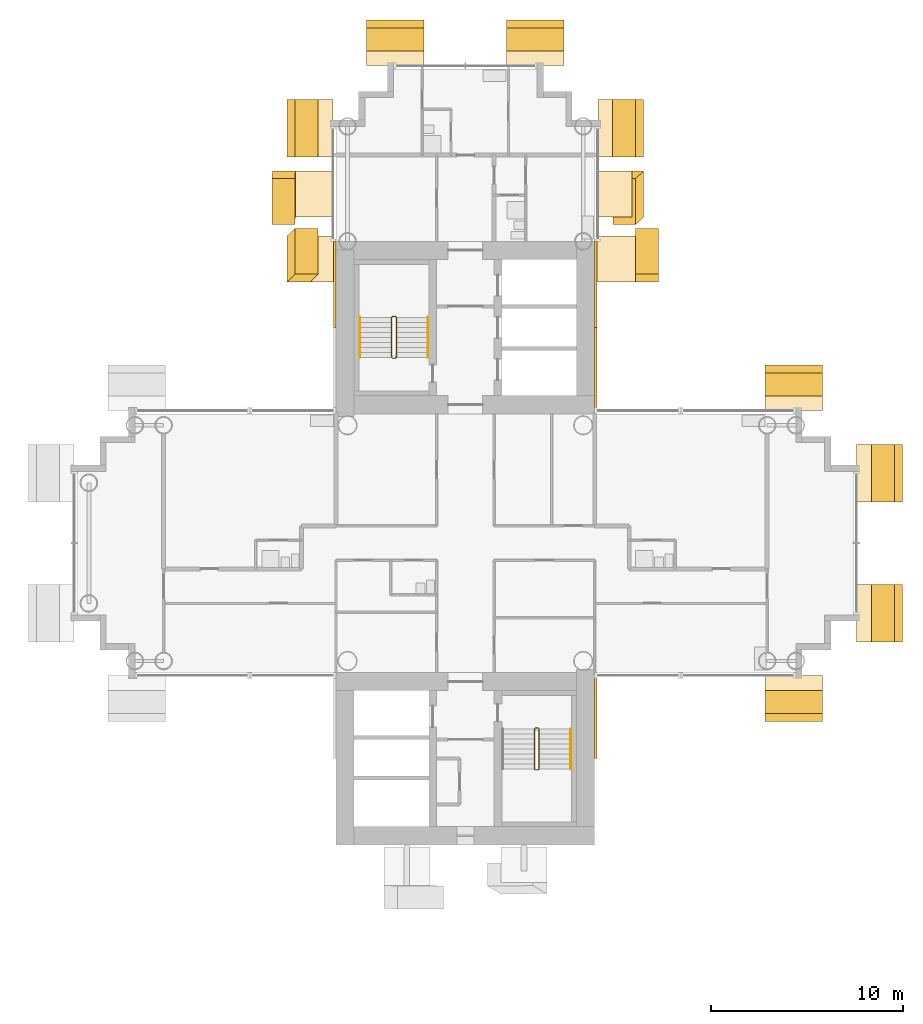
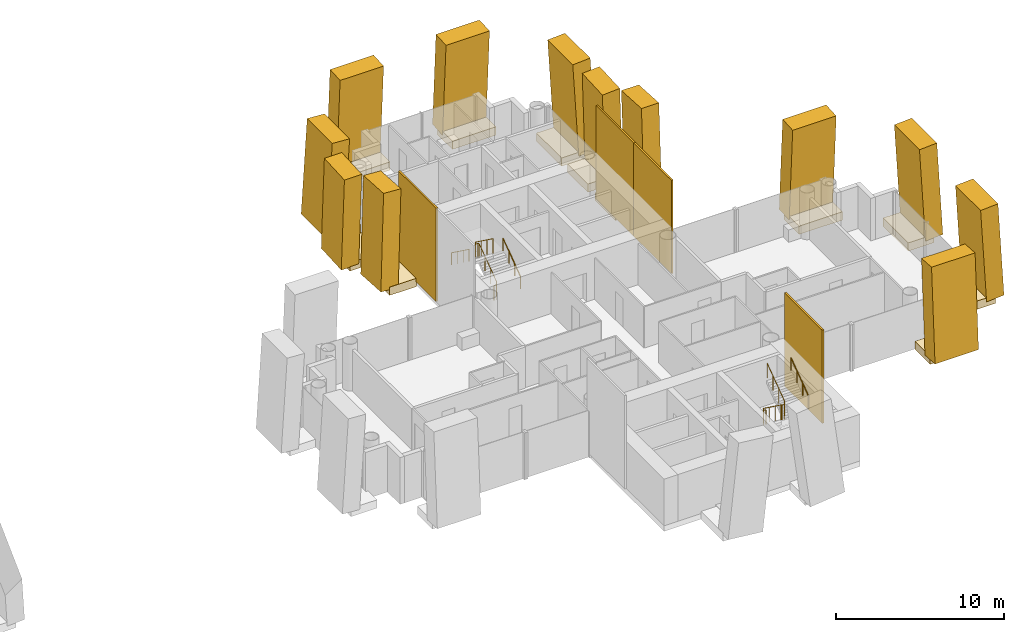
# One storey, part 20 of 21: 28 coverings, 5 railings.
"""IFC4 building model written with IfcOpenShell, lengths in metres."""

from ifc_helpers import new_model, si_unit, direction, frame, origin, origin_2d, place, context, subcontext, project, spatial, rectangle, circle, extrude, material, layer, layer_set, material_profile, profile_set, type_object, element, save


model = new_model("IFC4")

# Units and contexts
model_context = context("Model", 3, precision=1e-05, world=origin(), true_north=direction((0.0, 1.0)))
body_context = subcontext(model_context, "Body", "Model", "MODEL_VIEW")
ifc_project = project(units=[si_unit("LENGTHUNIT", "METRE"), si_unit("AREAUNIT", "SQUARE_METRE"), si_unit("VOLUMEUNIT", "CUBIC_METRE"), si_unit("PLANEANGLEUNIT", "RADIAN"), si_unit("MASSUNIT", "GRAM", prefix="KILO")], contexts=[model_context])

# Site, building, storey
site_placement = place(None, origin())
site = spatial("IfcSite", under=ifc_project, at=site_placement, CompositionType="ELEMENT")
building_placement = place(site_placement, origin())
building = spatial("IfcBuilding", under=site, at=building_placement, Name="Ipe Terrace Towers", CompositionType="ELEMENT")
storey_placement = place(building_placement, frame((0.0, 0.0, 80.0)))
storey = spatial("IfcBuildingStorey", under=building, at=storey_placement, Name="L21", CompositionType="ELEMENT", Elevation=80.0)

# Coverings
ifc_material_1 = material(Name="Concrete C50/60 precast, buff finish", Category="concrete")
ifc_layer = layer(ifc_material_1, 0.1201171875)
ifc_layer_set = layer_set([ifc_layer], Name="STONE CORE CLADDING 120")
covering_type_1 = type_object("IfcCoveringType", Name="STONE CORE CLADDING 120", PredefinedType="CLADDING", material=ifc_layer_set)
covering_1_placement = place(storey_placement, frame((29.18994140625, 13.5, 0.0), z_axis=(0.0, 0.0, 1.0), x_axis=(0.0, -1.0, 0.0)))
element("IfcCovering", 1, at=covering_1_placement, inside=storey, type_object=covering_type_1, Name="stone core cladding", PredefinedType="CLADDING", context=body_context, shape_type="SweptSolid", body=[
    extrude(rectangle(XDim=4.5009765625, YDim=0.1201171875, at=origin_2d()), origin(), (0.0, 0.0, 1.0), 6.800048828125),
])
for number, where, z_axis, x_axis, name in (
    (2, (42.81005859375, -9.0, 0.0), (0.0, 0.0, 1.0), (0.0, 1.0, 0.0), "stone core cladding"),
    (3, (42.81005859375, 9.0, 0.0), (0.0, 0.0, 1.0), (0.0, 1.0, 0.0), "stone core cladding"),
):
    element("IfcCovering", number, at=place(storey_placement, frame(where, z_axis=z_axis, x_axis=x_axis)), inside=storey, type_object=covering_type_1, Name=name, PredefinedType="CLADDING", context=body_context, shape_type="SweptSolid", body=[
        extrude(rectangle(XDim=4.5, YDim=0.1201171875, at=origin_2d()), origin(), (0.0, 0.0, 1.0), 6.800048828125),
    ])
covering_2_placement = place(storey_placement, frame((42.81005859375, 13.5, 0.0), z_axis=(0.0, 0.0, 1.0), x_axis=(0.0, 1.0, 0.0)))
element("IfcCovering", 4, at=covering_2_placement, inside=storey, type_object=covering_type_1, Name="stone core cladding", PredefinedType="CLADDING", context=body_context, shape_type="SweptSolid", body=[
    extrude(rectangle(XDim=4.5009765625, YDim=0.1201171875, at=origin_2d()), origin(), (0.0, 0.0, 1.0), 6.800048828125),
])
ifc_material_2 = material(Name="Concrete C50/60 precast, buff finish", Category="concrete")
ifc_material_profile_1 = material_profile(ifc_material_2, rectangle(XDim=2.39990234375, YDim=1.199951171875, at=origin_2d()), Name="STONE FIN 2400 x 1200")
ifc_profile_set_1 = profile_set([ifc_material_profile_1], Name="Concrete C50/60 precast, buff finish")
covering_type_2 = type_object("IfcCoveringType", Name="STONE FIN 2400 x 1200", PredefinedType="USERDEFINED", material=ifc_profile_set_1)
covering_3_placement = place(storey_placement, frame((26.52490234375, 18.214111328125, 0.0), z_axis=(-0.00189964116, -0.057992818801, 0.998315192878), x_axis=(0.000110351273, -0.99831700024, -0.057992713811)))
element("IfcCovering", 5, at=covering_3_placement, inside=storey, type_object=covering_type_2, Name="stone fin", ObjectType="FIN", PredefinedType="USERDEFINED", context=body_context, shape_type="SweptSolid", body=[
    extrude(rectangle(XDim=2.39990234375, YDim=1.199951171875, at=origin_2d()), origin(), (0.0, 0.0, 1.0), 6.8115234375),
])
for number, where, z_axis, x_axis, name in (
    (6, (27.298095703125, 14.8359375, 0.0), (0.060640977599, 0.057886195725, 0.996479733954), (0.003516171448, -0.998323188324, 0.057779305931), "stone fin"),
    (7, (44.701904296875, 18.214111328125, 0.0), (-0.060640977599, -0.057886195725, 0.996479733954), (-0.003516171448, 0.998323188324, 0.057779305931), "stone fin"),
):
    element("IfcCovering", number, at=place(storey_placement, frame(where, z_axis=z_axis, x_axis=x_axis)), inside=storey, type_object=covering_type_2, Name=name, ObjectType="FIN", PredefinedType="USERDEFINED", context=body_context, shape_type="SweptSolid", body=[
        extrude(rectangle(XDim=2.39990234375, YDim=1.199951171875, at=origin_2d()), origin(), (0.0, 0.0, 1.0), 6.823974609375),
    ])
covering_4_placement = place(storey_placement, frame((45.47509765625, 14.8359375, 0.0), z_axis=(0.00189964116, 0.057992818801, 0.998315192878), x_axis=(-0.000110351273, 0.99831700024, -0.057992713811)))
element("IfcCovering", 8, at=covering_4_placement, inside=storey, type_object=covering_type_2, Name="stone fin", ObjectType="FIN", PredefinedType="USERDEFINED", context=body_context, shape_type="SweptSolid", body=[
    extrude(rectangle(XDim=2.39990234375, YDim=1.199951171875, at=origin_2d()), origin(), (0.0, 0.0, 1.0), 6.8115234375),
])
ifc_material_3 = material(Name="Concrete C50/60 precast, buff finish", Category="concrete")
ifc_material_profile_2 = material_profile(ifc_material_3, rectangle(XDim=3.0, YDim=1.199951171875, at=origin_2d()), Name="STONE FIN CORNER 3000 x 1200")
ifc_profile_set_2 = profile_set([ifc_material_profile_2], Name="Concrete C50/60 precast, buff finish")
covering_type_3 = type_object("IfcCoveringType", Name="STONE FIN CORNER 3000 x 1200", PredefinedType="USERDEFINED", material=ifc_profile_set_2)
for number, where, z_axis, x_axis, name in (
    (9, (27.298095703125, 21.64990234375, 0.0), (0.060742831888, 0.0, 0.998153449312), (0.0, -1.0, 0.0), "stone fin"),
    (10, (32.35009765625, 26.701904296875, 0.0), (0.0, -0.060742831888, 0.998153449312), (-1.0, 0.0, 0.0), "stone fin"),
    (11, (39.64990234375, 26.701904296875, 0.0), (0.0, -0.060742831888, 0.998153449312), (-1.0, 0.0, 0.0), "stone fin"),
    (12, (44.701904296875, 21.64990234375, 0.0), (-0.060742831888, 0.0, 0.998153449312), (0.0, 1.0, 0.0), "stone fin"),
    (13, (53.14990234375, -8.701904296875, 0.0), (0.0, 0.060742831888, 0.998153449312), (1.0, 0.0, 0.0), "stone fin"),
    (14, (53.14990234375, 8.701904296875, 0.0), (0.0, -0.060742831888, 0.998153449312), (-1.0, 0.0, 0.0), "stone fin"),
    (15, (58.201904296875, -3.64990234375, 0.0), (-0.060742831888, 0.0, 0.998153449312), (0.0, 1.0, 0.0), "stone fin"),
    (16, (58.201904296875, 3.64990234375, 0.0), (-0.060742831888, 0.0, 0.998153449312), (0.0, 1.0, 0.0), "stone fin"),
):
    element("IfcCovering", number, at=place(storey_placement, frame(where, z_axis=z_axis, x_axis=x_axis)), inside=storey, type_object=covering_type_3, Name=name, ObjectType="FIN", PredefinedType="USERDEFINED", context=body_context, shape_type="SweptSolid", body=[
        extrude(rectangle(XDim=3.0, YDim=1.199951171875, at=origin_2d()), origin(), (0.0, 0.0, 1.0), 6.812744140625),
    ])
ifc_material_4 = material(Name="Concrete C50/60 precast, buff finish", Category="concrete")
covering_type_4 = type_object("IfcCoveringType", Name="STONE FIN SHELF 2400 x 600", PredefinedType="CLADDING", material=ifc_material_4)
covering_5_placement = place(storey_placement, frame((27.804931640625, 18.214111328125, -0.35009765625), z_axis=(0.0, 0.0, 1.0), x_axis=(0.0, -1.0, 0.0)))
element("IfcCovering", 17, at=covering_5_placement, inside=storey, type_object=covering_type_4, Name="stone fin shelf", PredefinedType="CLADDING", context=body_context, shape_type="SweptSolid", body=[
    extrude(rectangle(XDim=2.39990234375, YDim=2.55908203125, at=origin_2d()), origin(), (0.0, 0.0, 1.0), 0.60009765625),
])
covering_6_placement = place(storey_placement, frame((28.218994140625, 14.8359375, -0.35009765625), z_axis=(0.0, 0.0, 1.0), x_axis=(0.0, -1.0, 0.0)))
element("IfcCovering", 18, at=covering_6_placement, inside=storey, type_object=covering_type_4, Name="stone fin shelf", PredefinedType="CLADDING", context=body_context, shape_type="SweptSolid", body=[
    extrude(rectangle(XDim=2.39990234375, YDim=1.842041015625, at=origin_2d()), origin(), (0.0, 0.0, 1.0), 0.60009765625),
])
covering_7_placement = place(storey_placement, frame((43.80908203125, 18.214111328125, -0.35009765625), z_axis=(0.0, 0.0, 1.0), x_axis=(0.0, 1.0, 0.0)))
element("IfcCovering", 19, at=covering_7_placement, inside=storey, type_object=covering_type_4, Name="stone fin shelf", PredefinedType="CLADDING", context=body_context, shape_type="SweptSolid", body=[
    extrude(rectangle(XDim=2.39990234375, YDim=1.785888671875, at=origin_2d()), origin(), (0.0, 0.0, 1.0), 0.60009765625),
])
covering_8_placement = place(storey_placement, frame((44.16796875, 14.8359375, -0.35009765625), z_axis=(0.0, 0.0, 1.0), x_axis=(0.0, 1.0, 0.0)))
element("IfcCovering", 20, at=covering_8_placement, inside=storey, type_object=covering_type_4, Name="stone fin shelf", PredefinedType="CLADDING", context=body_context, shape_type="SweptSolid", body=[
    extrude(rectangle(XDim=2.39990234375, YDim=2.614990234375, at=origin_2d()), origin(), (0.0, 0.0, 1.0), 0.60009765625),
])
ifc_material_5 = material(Name="Concrete C50/60 precast, buff finish", Category="concrete")
covering_type_5 = type_object("IfcCoveringType", Name="STONE FIN SHELF 3000 x 600", PredefinedType="CLADDING", material=ifc_material_5)
for number, where, z_axis, x_axis, name in (
    (21, (28.19091796875, 21.64990234375, -0.35009765625), (0.0, 0.0, 1.0), (0.0, -1.0, 0.0), "stone fin shelf"),
    (22, (32.35009765625, 25.80908203125, -0.35009765625), (0.0, 0.0, 1.0), (-1.0, 0.0, 0.0), "stone fin shelf"),
    (23, (39.64990234375, 25.80908203125, -0.35009765625), (0.0, 0.0, 1.0), (-1.0, 0.0, 0.0), "stone fin shelf"),
    (24, (43.80908203125, 21.64990234375, -0.35009765625), (0.0, 0.0, 1.0), (0.0, 1.0, 0.0), "stone fin shelf"),
    (25, (53.14990234375, -7.80908203125, -0.35009765625), (0.0, 0.0, 1.0), (1.0, 0.0, 0.0), "stone fin shelf"),
    (26, (53.14990234375, 7.80908203125, -0.35009765625), (0.0, 0.0, 1.0), (-1.0, 0.0, 0.0), "stone fin shelf"),
    (27, (57.30908203125, -3.64990234375, -0.35009765625), (0.0, 0.0, 1.0), (0.0, 1.0, 0.0), "stone fin shelf"),
    (28, (57.30908203125, 3.64990234375, -0.35009765625), (0.0, 0.0, 1.0), (0.0, 1.0, 0.0), "stone fin shelf"),
):
    element("IfcCovering", number, at=place(storey_placement, frame(where, z_axis=z_axis, x_axis=x_axis)), inside=storey, type_object=covering_type_5, Name=name, PredefinedType="CLADDING", context=body_context, shape_type="SweptSolid", body=[
        extrude(rectangle(XDim=3.0, YDim=1.785888671875, at=origin_2d()), origin(), (0.0, 0.0, 1.0), 0.60009765625),
    ])

# Railings
ifc_material_6 = material(Name="Steel S355", Category="steel")
railing_type_1 = type_object("IfcRailingType", Name="Stair guard 1100", PredefinedType="GUARDRAIL", material=ifc_material_6)
railing_1_placement = place(storey_placement, frame((32.199951171875, 9.64990234375, 0.0)))
element("IfcRailing", 29, at=railing_1_placement, inside=storey, type_object=railing_type_1, Name="L21 T2-ST1 stair guard 1", PredefinedType="GUARDRAIL", context=body_context, shape_type="SweptSolid", body=[
    extrude(circle(Radius=0.02392578125, at=origin_2d()), frame((0.0, 0.0, 1.076171875), z_axis=(1.0, 0.0, 0.0), x_axis=(0.0, 1.0, 0.0)), (0.0, 0.0, 1.0), 0.150146484375),
    extrude(circle(Radius=0.02392578125, at=origin_2d()), frame((0.150146484375, 0.0, 1.076171875), z_axis=(0.246893586699, 0.248103849378, 0.936743314239), x_axis=(-0.708833529934, 0.705375805398, 0.0)), (0.0, 0.0, 1.0), 0.20166015625),
    extrude(circle(Radius=0.02392578125, at=origin_2d()), frame((0.199951171875, 0.050048828125, 1.26513671875), z_axis=(0.0, 0.809068575486, 0.587714250432), x_axis=(-1.0, 0.0, 0.0)), (0.0, 0.0, 1.0), 2.571044921875),
    extrude(circle(Radius=0.02392578125, at=origin_2d()), frame((0.199951171875, 2.130126953125, 2.77587890625), z_axis=(-0.705375805398, 0.708833529934, 0.0), x_axis=(-0.708833529934, -0.705375805398, 0.0)), (0.0, 0.0, 1.0), 0.070556640625),
    extrude(circle(Radius=0.02392578125, at=origin_2d()), frame((0.150146484375, 2.18017578125, 2.77587890625), z_axis=(-1.0, 0.0, 0.0), x_axis=(0.0, -1.0, 0.0)), (0.0, 0.0, 1.0), 0.150146484375),
    extrude(circle(Radius=0.02392578125, at=origin_2d()), frame((0.0, 2.18017578125, 2.77587890625), z_axis=(-0.248029566107, -0.248029566107, 0.936462849596), x_axis=(0.707106781187, -0.707106781187, 0.0)), (0.0, 0.0, 1.0), 0.201904296875),
    extrude(circle(Radius=0.02392578125, at=origin_2d()), frame((-0.050048828125, 2.130126953125, 2.96484375), z_axis=(0.0, -0.809068575486, 0.587714250432), x_axis=(1.0, 0.0, 0.0)), (0.0, 0.0, 1.0), 2.571044921875),
    extrude(circle(Radius=0.02099609375, at=origin_2d()), origin(), (0.0, 0.0, 1.0), 1.052001953125),
    extrude(circle(Radius=0.02099609375, at=origin_2d()), frame((0.150146484375, 0.0, 0.0)), (0.0, 0.0, 1.0), 1.052001953125),
    extrude(circle(Radius=0.02099609375, at=origin_2d()), frame((0.199951171875, 0.050048828125, 0.18896484375)), (0.0, 0.0, 1.0), 1.052001953125),
    extrude(circle(Radius=0.02099609375, at=origin_2d()), frame((0.199951171875, 0.743408203125, 0.692626953125)), (0.0, 0.0, 1.0), 1.052001953125),
    extrude(circle(Radius=0.02099609375, at=origin_2d()), frame((0.199951171875, 1.436767578125, 1.1962890625)), (0.0, 0.0, 1.0), 1.052001953125),
    extrude(circle(Radius=0.02099609375, at=origin_2d()), frame((0.199951171875, 2.130126953125, 1.699951171875)), (0.0, 0.0, 1.0), 1.052001953125),
    extrude(circle(Radius=0.02099609375, at=origin_2d()), frame((0.150146484375, 2.18017578125, 1.699951171875)), (0.0, 0.0, 1.0), 1.052001953125),
    extrude(circle(Radius=0.02099609375, at=origin_2d()), frame((0.0, 2.18017578125, 1.699951171875)), (0.0, 0.0, 1.0), 1.052001953125),
    extrude(circle(Radius=0.02099609375, at=origin_2d()), frame((-0.050048828125, 2.130126953125, 1.888916015625)), (0.0, 0.0, 1.0), 1.052001953125),
    extrude(circle(Radius=0.02099609375, at=origin_2d()), frame((-0.050048828125, 1.436767578125, 2.392578125)), (0.0, 0.0, 1.0), 1.052001953125),
    extrude(circle(Radius=0.02099609375, at=origin_2d()), frame((-0.050048828125, 0.743408203125, 2.896240234375)), (0.0, 0.0, 1.0), 1.052001953125),
    extrude(circle(Radius=0.02099609375, at=origin_2d()), frame((-0.050048828125, 0.050048828125, 3.39990234375)), (0.0, 0.0, 1.0), 1.052001953125),
])
railing_2_placement = place(storey_placement, frame((39.800048828125, -9.64990234375, 0.0)))
element("IfcRailing", 30, at=railing_2_placement, inside=storey, type_object=railing_type_1, Name="L21 T2-ST2 stair guard 1", PredefinedType="GUARDRAIL", context=body_context, shape_type="SweptSolid", body=[
    extrude(circle(Radius=0.02392578125, at=origin_2d()), frame((0.0, 0.0, 1.076171875), z_axis=(-1.0, 0.0, 0.0), x_axis=(0.0, -1.0, 0.0)), (0.0, 0.0, 1.0), 0.150146484375),
    extrude(circle(Radius=0.02392578125, at=origin_2d()), frame((-0.150146484375, 0.0, 1.076171875), z_axis=(-0.246893586699, -0.248103849378, 0.936743314239), x_axis=(0.708833529934, -0.705375805398, 0.0)), (0.0, 0.0, 1.0), 0.20166015625),
    extrude(circle(Radius=0.02392578125, at=origin_2d()), frame((-0.199951171875, -0.050048828125, 1.26513671875), z_axis=(0.0, -0.809068575486, 0.587714250432), x_axis=(1.0, 0.0, 0.0)), (0.0, 0.0, 1.0), 2.571044921875),
    extrude(circle(Radius=0.02392578125, at=origin_2d()), frame((-0.199951171875, -2.130126953125, 2.77587890625), z_axis=(0.705375805398, -0.708833529934, 0.0), x_axis=(0.708833529934, 0.705375805398, 0.0)), (0.0, 0.0, 1.0), 0.070556640625),
    extrude(circle(Radius=0.02392578125, at=origin_2d()), frame((-0.150146484375, -2.18017578125, 2.77587890625), z_axis=(1.0, 0.0, 0.0), x_axis=(0.0, 1.0, 0.0)), (0.0, 0.0, 1.0), 0.150146484375),
    extrude(circle(Radius=0.02392578125, at=origin_2d()), frame((0.0, -2.18017578125, 2.77587890625), z_axis=(0.248029566107, 0.248029566107, 0.936462849596), x_axis=(-0.707106781187, 0.707106781187, 0.0)), (0.0, 0.0, 1.0), 0.201904296875),
    extrude(circle(Radius=0.02392578125, at=origin_2d()), frame((0.050048828125, -2.130126953125, 2.96484375), z_axis=(0.0, 0.809068575486, 0.587714250432), x_axis=(-1.0, 0.0, 0.0)), (0.0, 0.0, 1.0), 2.571044921875),
    extrude(circle(Radius=0.02099609375, at=origin_2d()), origin(), (0.0, 0.0, 1.0), 1.052001953125),
    extrude(circle(Radius=0.02099609375, at=origin_2d()), frame((-0.150146484375, 0.0, 0.0)), (0.0, 0.0, 1.0), 1.052001953125),
    extrude(circle(Radius=0.02099609375, at=origin_2d()), frame((-0.199951171875, -0.050048828125, 0.18896484375)), (0.0, 0.0, 1.0), 1.052001953125),
    extrude(circle(Radius=0.02099609375, at=origin_2d()), frame((-0.199951171875, -0.743408203125, 0.692626953125)), (0.0, 0.0, 1.0), 1.052001953125),
    extrude(circle(Radius=0.02099609375, at=origin_2d()), frame((-0.199951171875, -1.436767578125, 1.1962890625)), (0.0, 0.0, 1.0), 1.052001953125),
    extrude(circle(Radius=0.02099609375, at=origin_2d()), frame((-0.199951171875, -2.130126953125, 1.699951171875)), (0.0, 0.0, 1.0), 1.052001953125),
    extrude(circle(Radius=0.02099609375, at=origin_2d()), frame((-0.150146484375, -2.18017578125, 1.699951171875)), (0.0, 0.0, 1.0), 1.052001953125),
    extrude(circle(Radius=0.02099609375, at=origin_2d()), frame((0.0, -2.18017578125, 1.699951171875)), (0.0, 0.0, 1.0), 1.052001953125),
    extrude(circle(Radius=0.02099609375, at=origin_2d()), frame((0.050048828125, -2.130126953125, 1.888916015625)), (0.0, 0.0, 1.0), 1.052001953125),
    extrude(circle(Radius=0.02099609375, at=origin_2d()), frame((0.050048828125, -1.436767578125, 2.392578125)), (0.0, 0.0, 1.0), 1.052001953125),
    extrude(circle(Radius=0.02099609375, at=origin_2d()), frame((0.050048828125, -0.743408203125, 2.896240234375)), (0.0, 0.0, 1.0), 1.052001953125),
    extrude(circle(Radius=0.02099609375, at=origin_2d()), frame((0.050048828125, -0.050048828125, 3.39990234375)), (0.0, 0.0, 1.0), 1.052001953125),
])
ifc_material_7 = material(Name="Stainless steel grade 304", Category="steel")
railing_type_2 = type_object("IfcRailingType", Name="Stair handrail 900", PredefinedType="HANDRAIL", material=ifc_material_7)
railing_3_placement = place(storey_placement, frame((34.050048828125, 9.699951171875, 0.18896484375)))
element("IfcRailing", 31, at=railing_3_placement, inside=storey, type_object=railing_type_2, Name="L21 T2-ST1 stair handrail 1", PredefinedType="HANDRAIL", context=body_context, shape_type="SweptSolid", body=[
    extrude(circle(Radius=0.02392578125, at=origin_2d()), frame((0.0, 0.0, 0.8759765625), z_axis=(0.0, 0.809068575486, 0.587714250432), x_axis=(-1.0, 0.0, 0.0)), (0.0, 0.0, 1.0), 2.571044921875),
    extrude(circle(Radius=0.02099609375, at=origin_2d()), origin(), (0.0, 0.0, 1.0), 0.851806640625),
    extrude(circle(Radius=0.02099609375, at=origin_2d()), frame((0.0, 0.693359375, 0.503662109375)), (0.0, 0.0, 1.0), 0.851806640625),
    extrude(circle(Radius=0.02099609375, at=origin_2d()), frame((0.0, 1.38671875, 1.00732421875)), (0.0, 0.0, 1.0), 0.851806640625),
    extrude(circle(Radius=0.02099609375, at=origin_2d()), frame((0.0, 2.080078125, 1.510986328125)), (0.0, 0.0, 1.0), 0.851806640625),
])
railing_4_placement = place(storey_placement, frame((30.5, 11.780029296875, 1.888916015625)))
element("IfcRailing", 32, at=railing_4_placement, inside=storey, type_object=railing_type_2, Name="L21 T2-ST1 stair handrail 2", PredefinedType="HANDRAIL", context=body_context, shape_type="SweptSolid", body=[
    extrude(circle(Radius=0.02392578125, at=origin_2d()), frame((0.0, 0.0, 0.8759765625), z_axis=(0.0, -0.809068575486, 0.587714250432), x_axis=(1.0, 0.0, 0.0)), (0.0, 0.0, 1.0), 2.571044921875),
    extrude(circle(Radius=0.02099609375, at=origin_2d()), origin(), (0.0, 0.0, 1.0), 0.851806640625),
    extrude(circle(Radius=0.02099609375, at=origin_2d()), frame((0.0, -0.693359375, 0.503662109375)), (0.0, 0.0, 1.0), 0.851806640625),
    extrude(circle(Radius=0.02099609375, at=origin_2d()), frame((0.0, -1.38671875, 1.00732421875)), (0.0, 0.0, 1.0), 0.851806640625),
    extrude(circle(Radius=0.02099609375, at=origin_2d()), frame((0.0, -2.080078125, 1.510986328125)), (0.0, 0.0, 1.0), 0.851806640625),
])
railing_5_placement = place(storey_placement, frame((41.5, -11.780029296875, 1.888916015625)))
element("IfcRailing", 33, at=railing_5_placement, inside=storey, type_object=railing_type_2, Name="L21 T2-ST2 stair handrail 2", PredefinedType="HANDRAIL", context=body_context, shape_type="SweptSolid", body=[
    extrude(circle(Radius=0.02392578125, at=origin_2d()), frame((0.0, 0.0, 0.8759765625), z_axis=(0.0, 0.809068575486, 0.587714250432), x_axis=(-1.0, 0.0, 0.0)), (0.0, 0.0, 1.0), 2.571044921875),
    extrude(circle(Radius=0.02099609375, at=origin_2d()), origin(), (0.0, 0.0, 1.0), 0.851806640625),
    extrude(circle(Radius=0.02099609375, at=origin_2d()), frame((0.0, 0.693359375, 0.503662109375)), (0.0, 0.0, 1.0), 0.851806640625),
    extrude(circle(Radius=0.02099609375, at=origin_2d()), frame((0.0, 1.38671875, 1.00732421875)), (0.0, 0.0, 1.0), 0.851806640625),
    extrude(circle(Radius=0.02099609375, at=origin_2d()), frame((0.0, 2.080078125, 1.510986328125)), (0.0, 0.0, 1.0), 0.851806640625),
])

save(model, "model.ifc")
